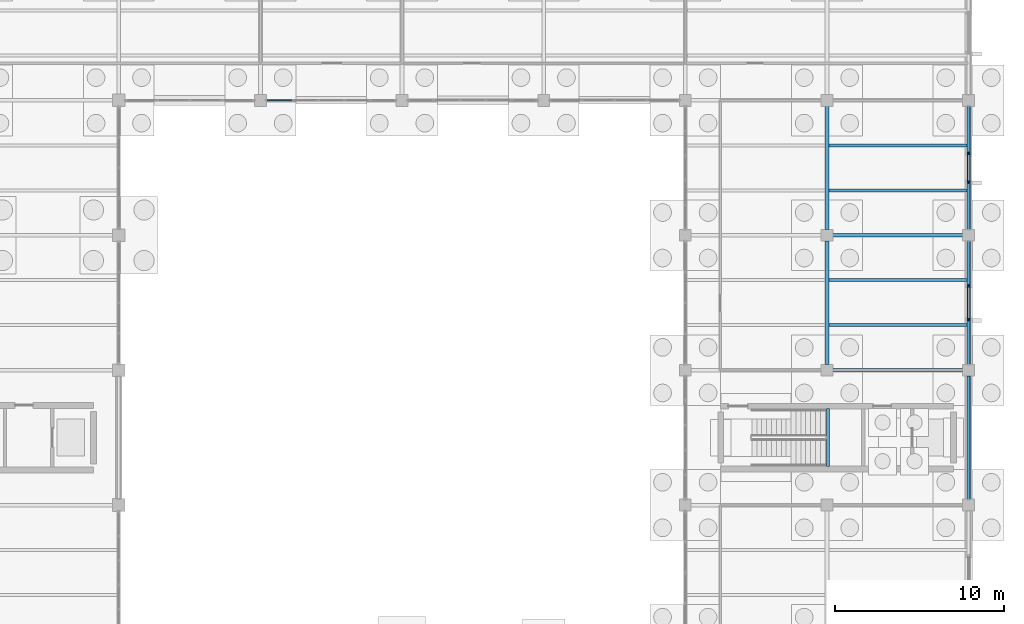
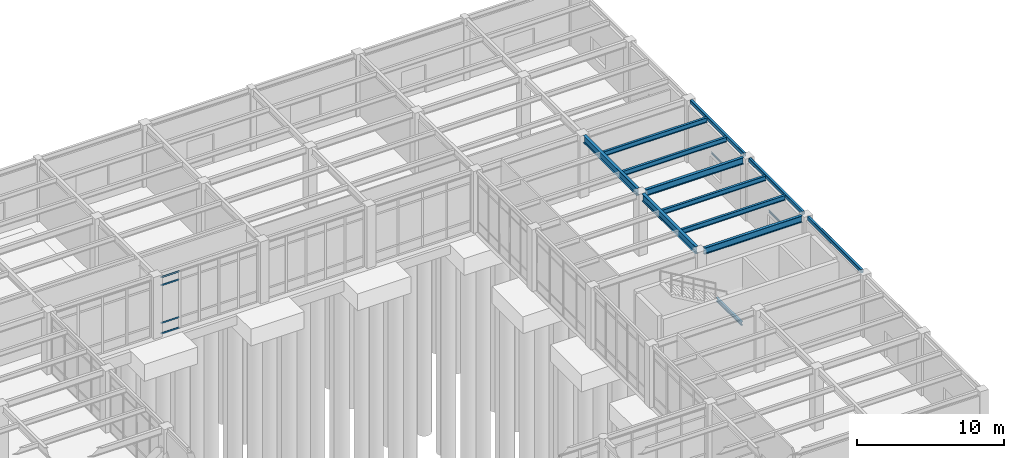
# One storey, part 60 of 138: 14 beams, 4 members, 1 element without a shape of its own.
"""IFC4 building model written with IfcOpenShell, lengths in metres."""

from ifc_helpers import new_model, si_unit, direction, frame, origin, origin_2d, place, context, subcontext, project, spatial, rectangle, hollow_rectangle, i_section, u_section, extrude, material, layer, layer_set, material_profile, profile_set, type_object, element, aggregate, save


model = new_model("IFC4")

# Units and contexts
model_context = context("Model", 3, precision=1e-05, world=origin(), true_north=direction((0.0, 1.0)))
body_context = subcontext(model_context, "Body", "Model", "MODEL_VIEW")
ifc_project = project(units=[si_unit("LENGTHUNIT", "METRE"), si_unit("AREAUNIT", "SQUARE_METRE"), si_unit("VOLUMEUNIT", "CUBIC_METRE"), si_unit("PLANEANGLEUNIT", "RADIAN"), si_unit("MASSUNIT", "GRAM", prefix="KILO")], contexts=[model_context])

# Site, building, storey
site_placement = place(None, origin())
site = spatial("IfcSite", under=ifc_project, at=site_placement, CompositionType="ELEMENT")
building_placement = place(site_placement, origin())
building = spatial("IfcBuilding", under=site, at=building_placement, Name="Kranzveld Transit Interchange", CompositionType="ELEMENT")
storey_placement = place(building_placement, origin())
storey = spatial("IfcBuildingStorey", under=building, at=storey_placement, Name="L00", CompositionType="ELEMENT", Elevation=0.0)

# Curtain wall, members
ifc_material_1 = material(Name="Bronze-anodised thermally broken aluminium", Category="aluminium")
ifc_layer = layer(ifc_material_1, 0.155029296875)
ifc_layer_set = layer_set([ifc_layer], Name="Bronze-anodised thermally broken aluminium")
curtain_wall_type = type_object("IfcCurtainWallType", Name="Operations Courtyard Glazed Screen CW-6", PredefinedType="USERDEFINED", material=ifc_layer_set)
curtain_wall_placement = place(storey_placement, origin())
curtain_wall = element("IfcCurtainWall", 1, at=curtain_wall_placement, inside=storey, type_object=curtain_wall_type, Name="L00 Curtain Wall 16/N-17/N", ObjectType="CURTAIN WALL", PredefinedType="USERDEFINED")
ifc_material_2 = material(Name="Bronze-anodised thermally broken aluminium", Category="aluminium")
ifc_material_profile_1 = material_profile(ifc_material_2, rectangle(XDim=0.06005859375, YDim=0.125, at=origin_2d()), Name="ALU TRANSOM 60x125")
ifc_profile_set_1 = profile_set([ifc_material_profile_1], Name="Bronze-anodised thermally broken aluminium")
member_type = type_object("IfcMemberType", Name="Curtain Wall Transom 60x125 Alu", PredefinedType="USERDEFINED", material=ifc_profile_set_1)
member_1_placement = place(storey_placement, frame((126.4150390625, 96.0, 0.030029296875), z_axis=(1.0, 0.0, 0.0), x_axis=(0.0, 1.0, 0.0)))
member_1 = element("IfcMember", 2, at=member_1_placement, type_object=member_type, Name="CW-6 transom 1.1", ObjectType="TRANSOM", PredefinedType="USERDEFINED", context=body_context, shape_type="SweptSolid", body=[
    extrude(rectangle(XDim=0.06005859375, YDim=0.125, at=origin_2d()), origin(), (0.0, 0.0, 1.0), 1.4423828125),
])
member_2_placement = place(storey_placement, frame((126.4150390625, 96.0, 0.89990234375), z_axis=(1.0, 0.0, 0.0), x_axis=(0.0, 1.0, 0.0)))
member_2 = element("IfcMember", 3, at=member_2_placement, type_object=member_type, Name="CW-6 transom 1.2", ObjectType="TRANSOM", PredefinedType="USERDEFINED", context=body_context, shape_type="SweptSolid", body=[
    extrude(rectangle(XDim=0.06005859375, YDim=0.125, at=origin_2d()), origin(), (0.0, 0.0, 1.0), 1.4423828125),
])
member_3_placement = place(storey_placement, frame((126.4150390625, 96.0, 4.04052734375), z_axis=(1.0, 0.0, 0.0), x_axis=(0.0, 1.0, 0.0)))
member_3 = element("IfcMember", 4, at=member_3_placement, type_object=member_type, Name="CW-6 transom 1.3", ObjectType="TRANSOM", PredefinedType="USERDEFINED", context=body_context, shape_type="SweptSolid", body=[
    extrude(rectangle(XDim=0.06005859375, YDim=0.125, at=origin_2d()), origin(), (0.0, 0.0, 1.0), 1.4423828125),
])
member_4_placement = place(storey_placement, frame((126.4150390625, 96.0, 4.710693359375), z_axis=(1.0, 0.0, 0.0), x_axis=(0.0, 1.0, 0.0)))
member_4 = element("IfcMember", 5, at=member_4_placement, type_object=member_type, Name="CW-6 transom 1.4", ObjectType="TRANSOM", PredefinedType="USERDEFINED", context=body_context, shape_type="SweptSolid", body=[
    extrude(rectangle(XDim=0.06005859375, YDim=0.125, at=origin_2d()), origin(), (0.0, 0.0, 1.0), 1.4423828125),
])
aggregate(curtain_wall, [member_1, member_2, member_3, member_4])

# Beams
ifc_material_3 = material(Name="Steel S355JR", Category="steel")
ifc_material_profile_2 = material_profile(ifc_material_3, hollow_rectangle(XDim=0.199951171875, YDim=0.300048828125, WallThickness=0.010009765625, InnerFilletRadius=0.014892578125, OuterFilletRadius=0.02490234375, at=origin_2d()), Name="RHS 300x200x10")
ifc_profile_set_2 = profile_set([ifc_material_profile_2], Name="Steel S355JR")
beam_type_1 = type_object("IfcBeamType", Name="Edge Spandrel RHS 300x200x10 S355JR", PredefinedType="SPANDREL", material=ifc_profile_set_2)
for number, where, z_axis, x_axis, name in (
    (6, (168.0, 72.340087890625, 5.0), (0.0, 1.0, 0.0), (-1.0, 0.0, 0.0), "L00 Girder 21/K-L"),
    (7, (168.0, 80.340087890625, 5.0), (0.0, 1.0, 0.0), (-1.0, 0.0, 0.0), "L00 Girder 21/L-M"),
    (8, (168.0, 88.340087890625, 5.0), (0.0, 1.0, 0.0), (-1.0, 0.0, 0.0), "L00 Girder 21/M-N"),
):
    element("IfcBeam", number, at=place(storey_placement, frame(where, z_axis=z_axis, x_axis=x_axis)), inside=storey, type_object=beam_type_1, Name=name, PredefinedType="SPANDREL", context=body_context, shape_type="SweptSolid", body=[
        extrude(hollow_rectangle(XDim=0.199951171875, YDim=0.300048828125, WallThickness=0.010009765625, InnerFilletRadius=0.014892578125, OuterFilletRadius=0.02490234375, at=origin_2d()), origin(), (0.0, 0.0, 1.0), 7.31982421875),
    ])
ifc_material_4 = material(Name="Steel S355JR", Category="steel")
ifc_material_profile_3 = material_profile(ifc_material_4, i_section(OverallWidth=0.177734375, OverallDepth=0.402587890625, WebThickness=0.0078125, FlangeThickness=0.010986328125, FilletRadius=0.01025390625, at=origin_2d()), Name="UB 406x178x54")
ifc_profile_set_3 = profile_set([ifc_material_profile_3], Name="Steel S355JR")
beam_type_2 = type_object("IfcBeamType", Name="Floor Joist UB 406x178x54 S355JR", PredefinedType="JOIST", material=ifc_profile_set_3)
for number, where, z_axis, x_axis, name in (
    (9, (159.716064453125, 82.666748046875, 4.94873046875), (1.0, 0.0, 0.0), (0.0, 1.0, 0.0), "L00 Secondary Joist 20-21/L.1"),
    (10, (159.716064453125, 85.333251953125, 4.94873046875), (1.0, 0.0, 0.0), (0.0, 1.0, 0.0), "L00 Secondary Joist 20-21/L.2"),
    (11, (159.716064453125, 90.666748046875, 4.94873046875), (1.0, 0.0, 0.0), (0.0, 1.0, 0.0), "L00 Secondary Joist 20-21/M.1"),
    (12, (159.716064453125, 93.333251953125, 4.94873046875), (1.0, 0.0, 0.0), (0.0, 1.0, 0.0), "L00 Secondary Joist 20-21/M.2"),
):
    element("IfcBeam", number, at=place(storey_placement, frame(where, z_axis=z_axis, x_axis=x_axis)), inside=storey, type_object=beam_type_2, Name=name, PredefinedType="JOIST", context=body_context, shape_type="SweptSolid", body=[
        extrude(i_section(OverallWidth=0.177734375, OverallDepth=0.402587890625, WebThickness=0.0078125, FlangeThickness=0.010986328125, FilletRadius=0.01025390625, at=origin_2d()), origin(), (0.0, 0.0, 1.0), 8.181884765625),
    ])
ifc_material_5 = material(Name="Steel S355JR", Category="steel")
ifc_material_profile_4 = material_profile(ifc_material_5, i_section(OverallWidth=0.2119140625, OverallDepth=0.54443359375, WebThickness=0.0126953125, FlangeThickness=0.021240234375, FilletRadius=0.0126953125, at=origin_2d()), Name="UB 533x210x122")
ifc_profile_set_4 = profile_set([ifc_material_profile_4], Name="Steel S355JR")
beam_type_3 = type_object("IfcBeamType", Name="Girder Steel UB 533x210x122 S355JR", PredefinedType="BEAM", material=ifc_profile_set_4)
for number, where, z_axis, x_axis, name in (
    (13, (159.93994140625, 80.0, 4.877685546875), (1.0, 0.0, 0.0), (0.0, 1.0, 0.0), "L00 Girder 20-21/L"),
    (14, (159.93994140625, 88.0, 4.877685546875), (1.0, 0.0, 0.0), (0.0, 1.0, 0.0), "L00 Girder 20-21/M"),
):
    element("IfcBeam", number, at=place(storey_placement, frame(where, z_axis=z_axis, x_axis=x_axis)), inside=storey, type_object=beam_type_3, Name=name, PredefinedType="BEAM", context=body_context, shape_type="SweptSolid", body=[
        extrude(i_section(OverallWidth=0.2119140625, OverallDepth=0.54443359375, WebThickness=0.0126953125, FlangeThickness=0.021240234375, FilletRadius=0.0126953125, at=origin_2d()), origin(), (0.0, 0.0, 1.0), 7.719970703125),
    ])
ifc_material_6 = material(Name="Steel S355JR", Category="steel")
ifc_material_profile_5 = material_profile(ifc_material_6, i_section(OverallWidth=0.228271484375, OverallDepth=0.607666015625, WebThickness=0.010986328125, FlangeThickness=0.017333984375, FilletRadius=0.0126953125, at=origin_2d()), Name="UB 610x229x113")
ifc_profile_set_5 = profile_set([ifc_material_profile_5], Name="Steel S355JR")
beam_type_4 = type_object("IfcBeamType", Name="Girder Steel UB 610x229x113 S355JR", PredefinedType="BEAM", material=ifc_profile_set_5)
for number, where, z_axis, x_axis, name in (
    (15, (159.60009765625, 80.340087890625, 4.84619140625), (0.0, 1.0, 0.0), (-1.0, 0.0, 0.0), "L00 Girder 20/L-M"),
    (16, (159.60009765625, 88.340087890625, 4.84619140625), (0.0, 1.0, 0.0), (-1.0, 0.0, 0.0), "L00 Girder 20/M-N"),
):
    element("IfcBeam", number, at=place(storey_placement, frame(where, z_axis=z_axis, x_axis=x_axis)), inside=storey, type_object=beam_type_4, Name=name, PredefinedType="BEAM", context=body_context, shape_type="SweptSolid", body=[
        extrude(i_section(OverallWidth=0.228271484375, OverallDepth=0.607666015625, WebThickness=0.010986328125, FlangeThickness=0.017333984375, FilletRadius=0.0126953125, at=origin_2d()), origin(), (0.0, 0.0, 1.0), 7.31982421875),
    ])
ifc_material_7 = material(Name="Steel S355JR", Category="steel")
ifc_material_profile_6 = material_profile(ifc_material_7, u_section(Depth=0.179931640625, FlangeWidth=0.070068359375, WebThickness=0.007080078125, FlangeThickness=0.010986328125, FilletRadius=0.010009765625, at=origin_2d()), Name="PFC 180x70x22")
ifc_profile_set_6 = profile_set([ifc_material_profile_6], Name="Steel S355JR")
beam_type_5 = type_object("IfcBeamType", Name="Masonry Lintel PFC 180x70x22 S355JR", PredefinedType="LINTEL", material=ifc_profile_set_6)
beam_1_placement = place(storey_placement, frame((168.0, 91.070068359375, 2.39501953125), z_axis=(0.0, 1.0, 0.0), x_axis=(-1.0, 0.0, 0.0)))
element("IfcBeam", 17, at=beam_1_placement, inside=storey, type_object=beam_type_5, Name="L00 Window Lintel 033", PredefinedType="LINTEL", context=body_context, shape_type="SweptSolid", body=[
    extrude(u_section(Depth=0.179931640625, FlangeWidth=0.070068359375, WebThickness=0.007080078125, FlangeThickness=0.010986328125, FilletRadius=0.010009765625, at=origin_2d()), origin(), (0.0, 0.0, 1.0), 1.85986328125),
])
ifc_material_8 = material(Name="Steel S355JR", Category="steel")
ifc_material_profile_7 = material_profile(ifc_material_8, u_section(Depth=0.199951171875, FlangeWidth=0.074951171875, WebThickness=0.006103515625, FlangeThickness=0.012451171875, FilletRadius=0.011962890625, at=origin_2d()), Name="PFC 200x75x23")
ifc_profile_set_7 = profile_set([ifc_material_profile_7], Name="Steel S355JR")
beam_type_6 = type_object("IfcBeamType", Name="Masonry Lintel PFC 200x75x23 S355JR", PredefinedType="LINTEL", material=ifc_profile_set_7)
beam_2_placement = place(storey_placement, frame((168.0, 82.919921875, 2.304931640625), z_axis=(0.0, 1.0, 0.0), x_axis=(-1.0, 0.0, 0.0)))
element("IfcBeam", 18, at=beam_2_placement, inside=storey, type_object=beam_type_6, Name="L00 Window Lintel 032", PredefinedType="LINTEL", context=body_context, shape_type="SweptSolid", body=[
    extrude(u_section(Depth=0.199951171875, FlangeWidth=0.074951171875, WebThickness=0.006103515625, FlangeThickness=0.012451171875, FilletRadius=0.011962890625, at=origin_2d()), origin(), (0.0, 0.0, 1.0), 2.16015625),
])
ifc_material_9 = material(Name="Steel S355JR", Category="steel")
ifc_material_profile_8 = material_profile(ifc_material_9, i_section(OverallWidth=0.165771484375, OverallDepth=0.306640625, WebThickness=0.006591796875, FlangeThickness=0.01171875, FilletRadius=0.0087890625, at=origin_2d()), Name="UB 305x165x46")
ifc_profile_set_8 = profile_set([ifc_material_profile_8], Name="Steel S355JR")
beam_type_7 = type_object("IfcBeamType", Name="Roof Joist UB 305x165x46 S355JR", PredefinedType="JOIST", material=ifc_profile_set_8)
beam_3_placement = place(storey_placement, frame((159.659912109375, 74.280029296875, 2.36669921875), z_axis=(0.0, 1.0, 0.0), x_axis=(-1.0, 0.0, 0.0)))
element("IfcBeam", 19, at=beam_3_placement, inside=storey, type_object=beam_type_7, Name="L00 ST-V4B Half-Landing Support Beam", PredefinedType="BEAM", context=body_context, shape_type="SweptSolid", body=[
    extrude(i_section(OverallWidth=0.165771484375, OverallDepth=0.306640625, WebThickness=0.006591796875, FlangeThickness=0.01171875, FilletRadius=0.0087890625, at=origin_2d()), origin(), (0.0, 0.0, 1.0), 3.43994140625),
])

save(model, "model.ifc")
